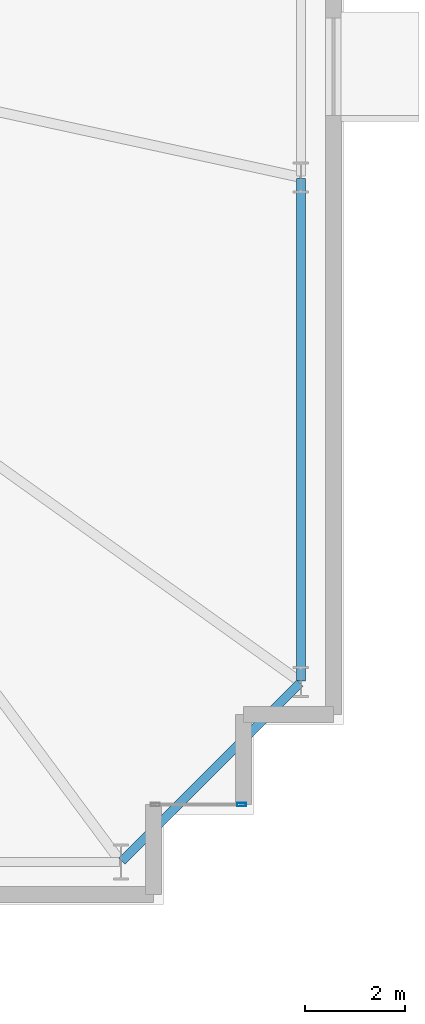
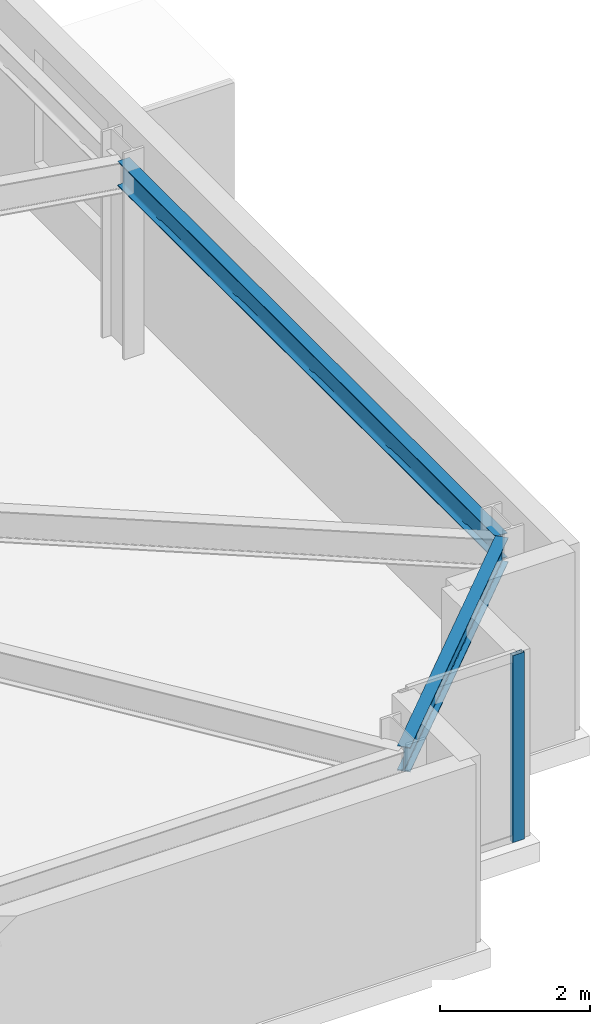
# One storey, part 10 of 22: 2 beams, 1 member, 1 element without a shape of its own.
"""IFC4 building model written with IfcOpenShell, lengths in metres."""

from ifc_helpers import new_model, si_unit, direction, frame, origin, origin_2d, place, context, subcontext, project, spatial, hollow_rectangle, i_section, extrude, material, layer, layer_set, material_profile, profile_set, type_object, element, aggregate, save


model = new_model("IFC4")

# Units and contexts
model_context = context("Model", 3, precision=1e-05, world=origin(), true_north=direction((0.0, 1.0)))
body_context = subcontext(model_context, "Body", "Model", "MODEL_VIEW")
ifc_project = project(units=[si_unit("LENGTHUNIT", "METRE"), si_unit("AREAUNIT", "SQUARE_METRE"), si_unit("VOLUMEUNIT", "CUBIC_METRE"), si_unit("PLANEANGLEUNIT", "RADIAN"), si_unit("MASSUNIT", "GRAM", prefix="KILO")], contexts=[model_context])

# Site, building, storey
site_placement = place(None, origin())
site = spatial("IfcSite", under=ifc_project, at=site_placement, CompositionType="ELEMENT")
building_placement = place(site_placement, origin())
building = spatial("IfcBuilding", under=site, at=building_placement, Name="Qobustan Lattice House", CompositionType="ELEMENT")
storey_placement = place(building_placement, frame((0.0, 0.0, 33.699951171875)))
storey = spatial("IfcBuildingStorey", under=building, at=storey_placement, Name="L08", CompositionType="ELEMENT", Elevation=33.699951171875)

# Beams
ifc_material_1 = material(Name="Steel S355", Category="steel")
ifc_material_profile_1 = material_profile(ifc_material_1, i_section(OverallWidth=0.179931640625, OverallDepth=0.39990234375, WebThickness=0.008544921875, FlangeThickness=0.013427734375, FilletRadius=0.02099609375, at=origin_2d()), Name="IPE400")
ifc_profile_set_1 = profile_set([ifc_material_profile_1], Name="Steel S355")
beam_type = type_object("IfcBeamType", Name="BM-SPD-IPE400", PredefinedType="SPANDREL", material=ifc_profile_set_1)
beam_1_placement = place(storey_placement, frame((28.567626953125, -18.732421875, 2.8349609375), z_axis=(0.707106781187, 0.707106781187, 0.0), x_axis=(-0.707106781187, 0.707106781187, 0.0)))
element("IfcBeam", 1, at=beam_1_placement, inside=storey, type_object=beam_type, Name="L08 perimeter spandrel S7-E1", PredefinedType="SPANDREL", context=body_context, shape_type="SweptSolid", body=[
    extrude(i_section(OverallWidth=0.179931640625, OverallDepth=0.39990234375, WebThickness=0.008544921875, FlangeThickness=0.013427734375, FilletRadius=0.02099609375, at=origin_2d()), origin(), (0.0, 0.0, 1.0), 5.041259765625),
])
beam_2_placement = place(storey_placement, frame((32.14990234375, -15.125, 2.8349609375), z_axis=(0.0, 1.0, 0.0), x_axis=(-1.0, 0.0, 0.0)))
element("IfcBeam", 2, at=beam_2_placement, inside=storey, type_object=beam_type, Name="L08 perimeter spandrel E1-E2", PredefinedType="SPANDREL", context=body_context, shape_type="SweptSolid", body=[
    extrude(i_section(OverallWidth=0.179931640625, OverallDepth=0.39990234375, WebThickness=0.008544921875, FlangeThickness=0.013427734375, FilletRadius=0.02099609375, at=origin_2d()), origin(), (0.0, 0.0, 1.0), 10.050048828125),
])

# Curtain wall, member
ifc_material_2 = material(Name="Anodised aluminium and low-E glazing", Category="aluminium")
ifc_layer = layer(ifc_material_2, 0.219970703125)
ifc_layer_set = layer_set([ifc_layer], Name="Anodised aluminium and low-E glazing")
curtain_wall_type = type_object("IfcCurtainWallType", Name="CW-FAC-01", PredefinedType="USERDEFINED", material=ifc_layer_set)
curtain_wall_placement = place(storey_placement, origin())
curtain_wall = element("IfcCurtainWall", 3, at=curtain_wall_placement, inside=storey, type_object=curtain_wall_type, Name="L08 serrated corner faceted glazing 18", ObjectType="CURTAIN WALL", PredefinedType="USERDEFINED")
ifc_material_3 = material(Name="Anodised aluminium EN AW-6063 T6", Category="aluminium")
ifc_material_profile_2 = material_profile(ifc_material_3, hollow_rectangle(XDim=0.070068359375, YDim=0.179931640625, WallThickness=0.00439453125, at=origin_2d()), Name="CWM-180x70")
ifc_profile_set_2 = profile_set([ifc_material_profile_2], Name="Anodised aluminium EN AW-6063 T6")
member_type = type_object("IfcMemberType", Name="CWM-STD-180", PredefinedType="MULLION", material=ifc_profile_set_2)
member_placement = place(storey_placement, frame((30.965087890625, -17.60009765625, 0.0), z_axis=(0.0, 0.0, 1.0), x_axis=(0.0, -1.0, 0.0)))
member = element("IfcMember", 4, at=member_placement, type_object=member_type, Name="CW-F1 mullion 1", PredefinedType="MULLION", context=body_context, shape_type="SweptSolid", body=[
    extrude(hollow_rectangle(XDim=0.070068359375, YDim=0.179931640625, WallThickness=0.00439453125, at=origin_2d()), origin(), (0.0, 0.0, 1.0), 3.03515625),
])
aggregate(curtain_wall, [member])

save(model, "model.ifc")
